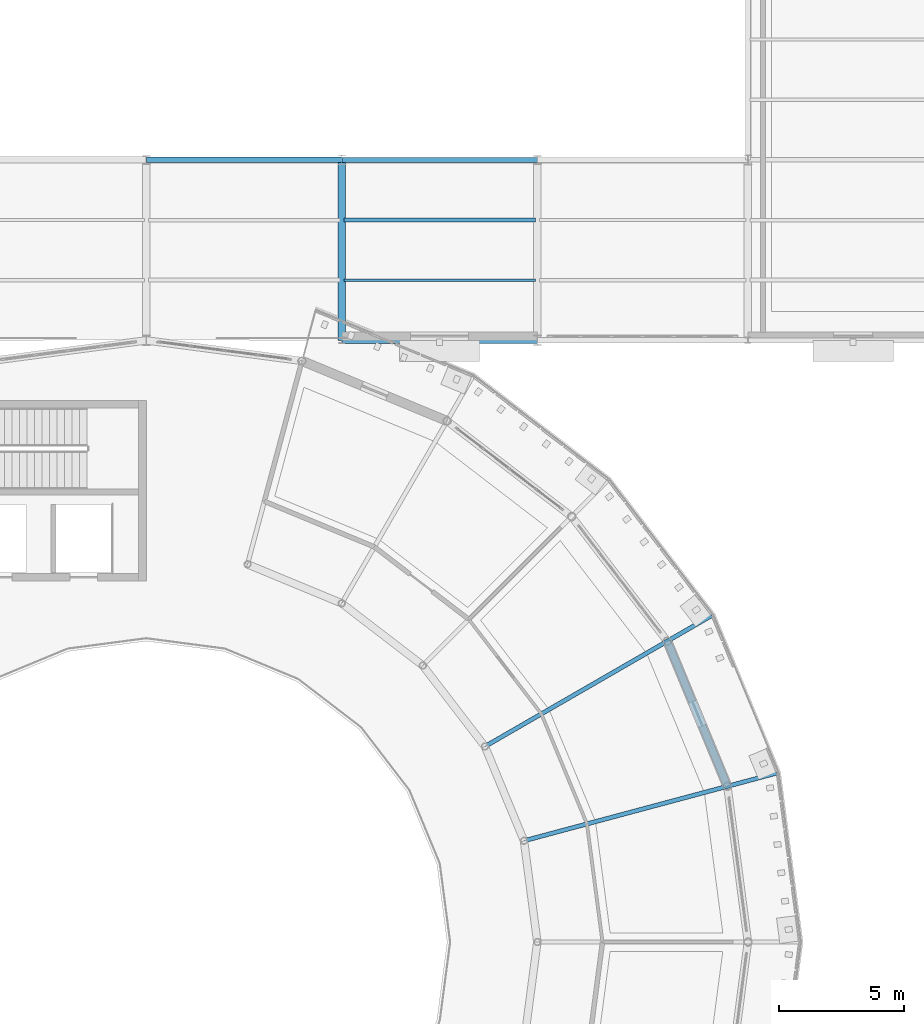
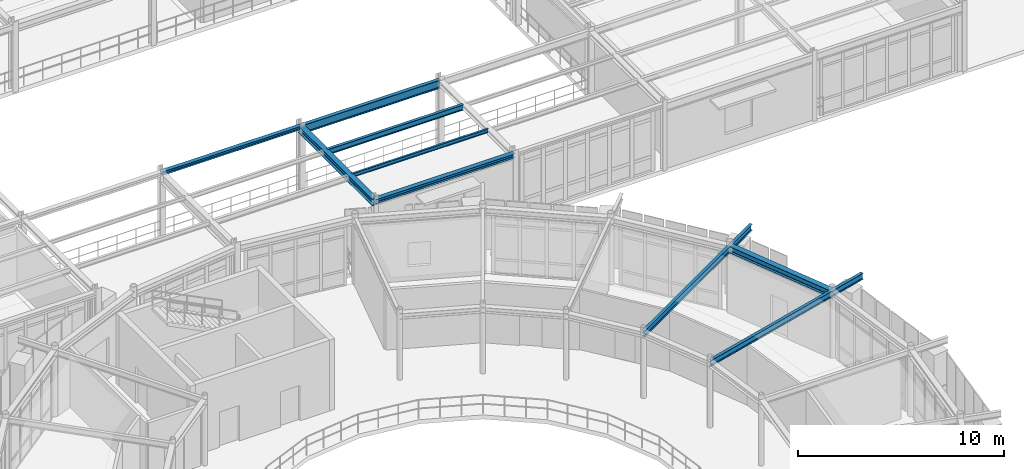
# One storey, part 52 of 90: 9 beams.
"""IFC4 building model written with IfcOpenShell, lengths in metres."""

from ifc_helpers import new_model, si_unit, derived_unit, direction, frame, origin, origin_2d, place, context, subcontext, project, spatial, i_section, extrude, material, material_profile, profile_set, type_object, element, save


model = new_model("IFC4")

# Units and contexts
model_context = context("Model", 3, precision=1e-05, world=origin(), true_north=direction((0.0, 1.0)))
body_context = subcontext(model_context, "Body", "Model", "MODEL_VIEW")
ifc_project = project(units=[si_unit("LENGTHUNIT", "METRE"), si_unit("AREAUNIT", "SQUARE_METRE"), si_unit("VOLUMEUNIT", "CUBIC_METRE"), si_unit("PLANEANGLEUNIT", "RADIAN"), si_unit("MASSUNIT", "GRAM", prefix="KILO"), derived_unit("THERMALTRANSMITTANCEUNIT", [(si_unit("POWERUNIT", "WATT"), 1), (si_unit("AREAUNIT", "SQUARE_METRE"), -1), (si_unit("THERMODYNAMICTEMPERATUREUNIT", "KELVIN"), -1)])], contexts=[model_context])

# Site, building, storey
site_placement = place(None, origin())
site = spatial("IfcSite", under=ifc_project, at=site_placement, CompositionType="ELEMENT")
building_placement = place(site_placement, origin())
building = spatial("IfcBuilding", under=site, at=building_placement, Name="Yasenodar Specialist Clinic", CompositionType="ELEMENT")
storey_placement = place(building_placement, frame((0.0, 0.0, 9.0)))
storey = spatial("IfcBuildingStorey", under=building, at=storey_placement, Name="L02", CompositionType="ELEMENT", Elevation=9.0)

# Beams
ifc_material = material(Name="Steel S355", Category="steel")
ifc_material_profile_1 = material_profile(ifc_material, i_section(OverallWidth=0.219970703125, OverallDepth=0.2099609375, WebThickness=0.007080078125, FlangeThickness=0.010986328125, FilletRadius=0.01806640625, at=origin_2d()), Name="HEA 220")
ifc_profile_set_1 = profile_set([ifc_material_profile_1], Name="Steel S355")
beam_type_1 = type_object("IfcBeamType", Name="BM-HEA220", PredefinedType="BEAM", material=ifc_profile_set_1)
beam_1_placement = place(storey_placement, frame((81.0, 90.0, 3.844970703125), z_axis=(1.0, 0.0, 0.0), x_axis=(0.0, 1.0, 0.0)))
element("IfcBeam", 1, at=beam_1_placement, inside=storey, type_object=beam_type_1, Name="L02 Primary E-W Girder", PredefinedType="BEAM", context=body_context, shape_type="SweptSolid", body=[
    extrude(i_section(OverallWidth=0.219970703125, OverallDepth=0.2099609375, WebThickness=0.007080078125, FlangeThickness=0.010986328125, FilletRadius=0.01806640625, at=origin_2d()), origin(), (0.0, 0.0, 1.0), 7.800048828125),
])
ifc_material_profile_2 = material_profile(ifc_material, i_section(OverallWidth=0.260009765625, OverallDepth=0.25, WebThickness=0.007568359375, FlangeThickness=0.012451171875, FilletRadius=0.02392578125, at=origin_2d()), Name="HEA 260")
ifc_profile_set_2 = profile_set([ifc_material_profile_2], Name="Steel S355")
beam_type_2 = type_object("IfcBeamType", Name="BM-HEA260", PredefinedType="BEAM", material=ifc_profile_set_2)
beam_2_placement = place(storey_placement, frame((88.800048828125, 82.800048828125, 3.824951171875), z_axis=(1.0, 0.0, 0.0), x_axis=(0.0, 1.0, 0.0)))
element("IfcBeam", 2, at=beam_2_placement, inside=storey, type_object=beam_type_2, Name="L02 Primary E-W Girder", PredefinedType="BEAM", context=body_context, shape_type="SweptSolid", body=[
    extrude(i_section(OverallWidth=0.260009765625, OverallDepth=0.25, WebThickness=0.007568359375, FlangeThickness=0.012451171875, FilletRadius=0.02392578125, at=origin_2d()), origin(), (0.0, 0.0, 1.0), 7.800048828125),
])
ifc_material_profile_3 = material_profile(ifc_material, i_section(OverallWidth=0.300048828125, OverallDepth=0.389892578125, WebThickness=0.010986328125, FlangeThickness=0.01904296875, FilletRadius=0.027099609375, at=origin_2d()), Name="HEA 400")
ifc_profile_set_3 = profile_set([ifc_material_profile_3], Name="Steel S355")
beam_type_3 = type_object("IfcBeamType", Name="BM-HEA400", PredefinedType="BEAM", material=ifc_profile_set_3)
beam_3_placement = place(storey_placement, frame((104.18212890625, 65.01171875, 3.7548828125), z_axis=(-0.382663829839, 0.9238876519, 0.0), x_axis=(-0.9238876519, -0.382663829839, 0.0)))
element("IfcBeam", 3, at=beam_3_placement, inside=storey, type_object=beam_type_3, Name="L02 Drum V1 Perimeter Ring Beam", PredefinedType="BEAM", context=body_context, shape_type="SweptSolid", body=[
    extrude(i_section(OverallWidth=0.300048828125, OverallDepth=0.389892578125, WebThickness=0.010986328125, FlangeThickness=0.01904296875, FilletRadius=0.027099609375, at=origin_2d()), origin(), (0.0, 0.0, 1.0), 6.26513671875),
])
ifc_material_profile_4 = material_profile(ifc_material, i_section(OverallWidth=0.300048828125, OverallDepth=0.39990234375, WebThickness=0.013427734375, FlangeThickness=0.02392578125, FilletRadius=0.027099609375, at=origin_2d()), Name="HEB 400")
ifc_profile_set_4 = profile_set([ifc_material_profile_4], Name="Steel S355")
beam_type_4 = type_object("IfcBeamType", Name="BM-HEB400", PredefinedType="BEAM", material=ifc_profile_set_4)
beam_4_placement = place(storey_placement, frame((88.800048828125, 82.800048828125, 3.75), z_axis=(0.0, 1.0, 0.0), x_axis=(-1.0, 0.0, 0.0)))
element("IfcBeam", 4, at=beam_4_placement, inside=storey, type_object=beam_type_4, Name="L02 Primary N-S Girder", PredefinedType="BEAM", context=body_context, shape_type="SweptSolid", body=[
    extrude(i_section(OverallWidth=0.300048828125, OverallDepth=0.39990234375, WebThickness=0.013427734375, FlangeThickness=0.02392578125, FilletRadius=0.027099609375, at=origin_2d()), origin(), (0.0, 0.0, 1.0), 7.199951171875),
])
ifc_material_profile_5 = material_profile(ifc_material, i_section(OverallWidth=0.169921875, OverallDepth=0.360107421875, WebThickness=0.008056640625, FlangeThickness=0.0126953125, FilletRadius=0.01806640625, at=origin_2d()), Name="IPE 360")
ifc_profile_set_5 = profile_set([ifc_material_profile_5], Name="Steel S355")
beam_type_5 = type_object("IfcBeamType", Name="BM-IPE360", PredefinedType="BEAM", material=ifc_profile_set_5)
for number, where, z_axis, x_axis, name in (
    (5, (96.068359375, 62.837646484375, 3.77001953125), (0.965927925162, 0.258811211874, 0.0), (-0.258811211874, 0.965927925162, 0.0), "L02 Drum V1 Radial Back-Spanned Cantilever Beam"),
    (6, (94.510009765625, 66.60009765625, 3.77001953125), (0.866033467715, 0.499986032603, 0.0), (-0.499986032603, 0.866033467715, 0.0), "L02 Drum V1 Radial Back-Spanned Cantilever Beam"),
):
    element("IfcBeam", number, at=place(storey_placement, frame(where, z_axis=z_axis, x_axis=x_axis)), inside=storey, type_object=beam_type_5, Name=name, PredefinedType="BEAM", context=body_context, shape_type="SweptSolid", body=[
        extrude(i_section(OverallWidth=0.169921875, OverallDepth=0.360107421875, WebThickness=0.008056640625, FlangeThickness=0.0126953125, FilletRadius=0.01806640625, at=origin_2d()), origin(), (0.0, 0.0, 1.0), 10.449951171875),
    ])
ifc_material_profile_6 = material_profile(ifc_material, i_section(OverallWidth=0.199951171875, OverallDepth=0.5, WebThickness=0.01025390625, FlangeThickness=0.01611328125, FilletRadius=0.02099609375, at=origin_2d()), Name="IPE 500")
ifc_profile_set_6 = profile_set([ifc_material_profile_6], Name="Steel S355")
beam_type_6 = type_object("IfcBeamType", Name="BM-IPE500", PredefinedType="BEAM", material=ifc_profile_set_6)
beam_5_placement = place(storey_placement, frame((88.800048828125, 90.0, 3.699951171875), z_axis=(1.0, 0.0, 0.0), x_axis=(0.0, 1.0, 0.0)))
element("IfcBeam", 7, at=beam_5_placement, inside=storey, type_object=beam_type_6, Name="L02 Primary E-W Girder", PredefinedType="BEAM", context=body_context, shape_type="SweptSolid", body=[
    extrude(i_section(OverallWidth=0.199951171875, OverallDepth=0.5, WebThickness=0.01025390625, FlangeThickness=0.01611328125, FilletRadius=0.02099609375, at=origin_2d()), origin(), (0.0, 0.0, 1.0), 7.800048828125),
])
ifc_material_profile_7 = material_profile(ifc_material, i_section(OverallWidth=0.110107421875, OverallDepth=0.219970703125, WebThickness=0.005859375, FlangeThickness=0.00927734375, FilletRadius=0.011962890625, at=origin_2d()), Name="IPE 220")
ifc_profile_set_7 = profile_set([ifc_material_profile_7], Name="Steel S355")
beam_type_7 = type_object("IfcBeamType", Name="JS-IPE220", PredefinedType="JOIST", material=ifc_profile_set_7)
beam_6_placement = place(storey_placement, frame((88.8798828125, 85.199951171875, 3.840087890625), z_axis=(1.0, 0.0, 0.0), x_axis=(0.0, 1.0, 0.0)))
element("IfcBeam", 8, at=beam_6_placement, inside=storey, type_object=beam_type_7, Name="L02 Composite Floor Joist", PredefinedType="JOIST", context=body_context, shape_type="SweptSolid", body=[
    extrude(i_section(OverallWidth=0.110107421875, OverallDepth=0.219970703125, WebThickness=0.005859375, FlangeThickness=0.00927734375, FilletRadius=0.011962890625, at=origin_2d()), origin(), (0.0, 0.0, 1.0), 7.64013671875),
])
ifc_material_profile_8 = material_profile(ifc_material, i_section(OverallWidth=0.159912109375, OverallDepth=0.330078125, WebThickness=0.007568359375, FlangeThickness=0.011474609375, FilletRadius=0.01806640625, at=origin_2d()), Name="IPE 330")
ifc_profile_set_8 = profile_set([ifc_material_profile_8], Name="Steel S355")
beam_type_8 = type_object("IfcBeamType", Name="JS-IPE330", PredefinedType="JOIST", material=ifc_profile_set_8)
beam_7_placement = place(storey_placement, frame((88.8798828125, 87.60009765625, 3.784912109375), z_axis=(1.0, 0.0, 0.0), x_axis=(0.0, 1.0, 0.0)))
element("IfcBeam", 9, at=beam_7_placement, inside=storey, type_object=beam_type_8, Name="L02 Composite Floor Joist", PredefinedType="JOIST", context=body_context, shape_type="SweptSolid", body=[
    extrude(i_section(OverallWidth=0.159912109375, OverallDepth=0.330078125, WebThickness=0.007568359375, FlangeThickness=0.011474609375, FilletRadius=0.01806640625, at=origin_2d()), origin(), (0.0, 0.0, 1.0), 7.64013671875),
])

save(model, "model.ifc")
